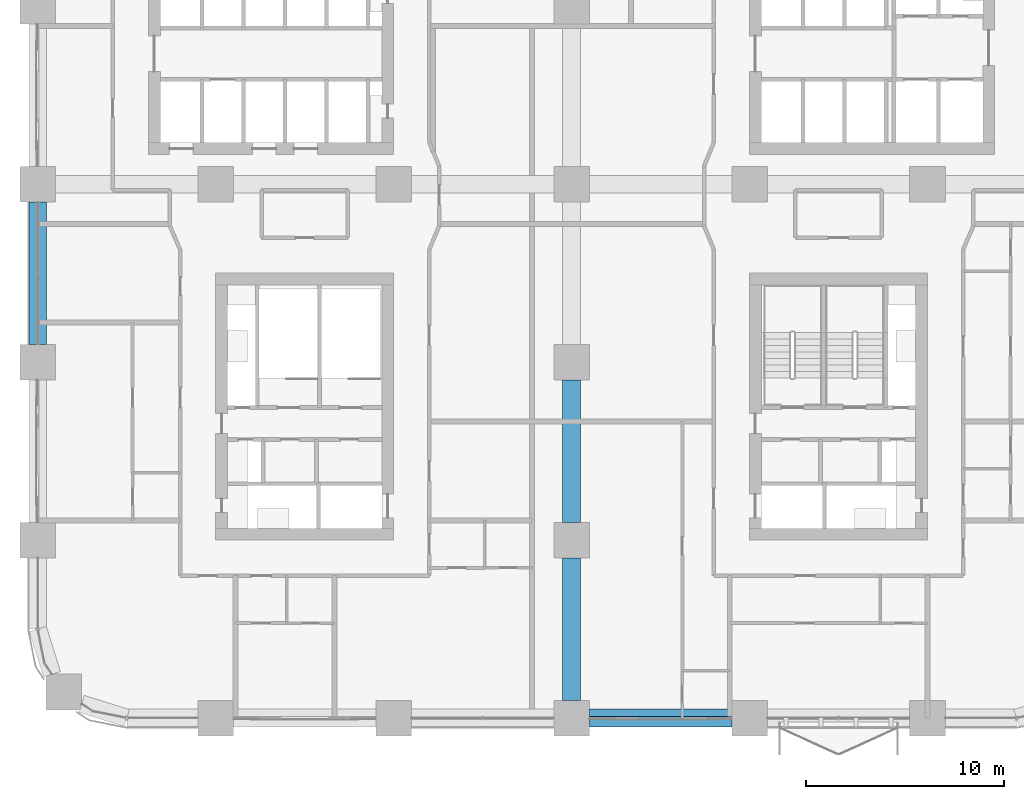
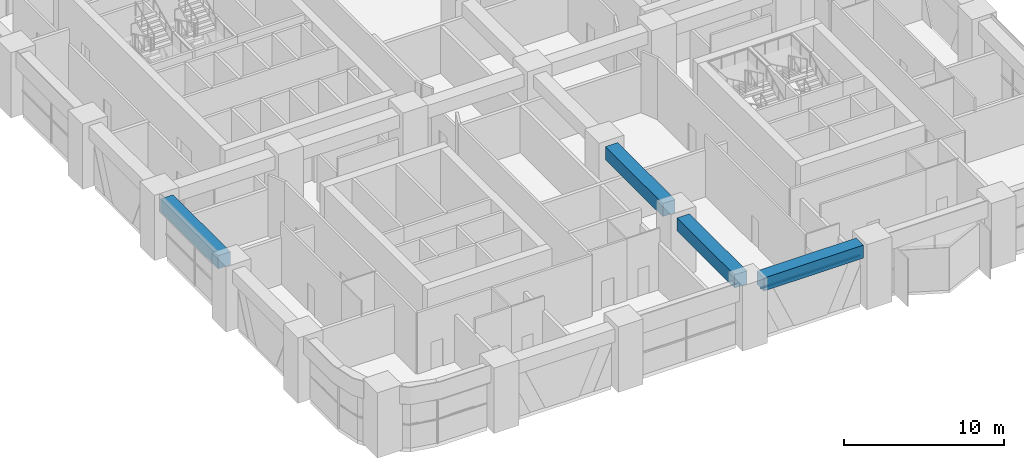
# One storey, part 3 of 26: 4 beams, 1 member, 1 element without a shape of its own.
"""IFC4 building model written with IfcOpenShell, lengths in metres."""

from ifc_helpers import new_model, si_unit, direction, frame, origin, origin_2d, place, context, subcontext, project, spatial, rectangle, extrude, material, material_profile, profile_set, type_object, element, aggregate, save


model = new_model("IFC4")

# Units and contexts
model_context = context("Model", 3, precision=1e-05, world=origin(), true_north=direction((0.0, 1.0)))
body_context = subcontext(model_context, "Body", "Model", "MODEL_VIEW")
ifc_project = project(units=[si_unit("LENGTHUNIT", "METRE"), si_unit("AREAUNIT", "SQUARE_METRE"), si_unit("VOLUMEUNIT", "CUBIC_METRE"), si_unit("PLANEANGLEUNIT", "RADIAN"), si_unit("MASSUNIT", "GRAM", prefix="KILO")], contexts=[model_context])

# Site, building, storey
site_placement = place(None, origin())
site = spatial("IfcSite", under=ifc_project, at=site_placement, CompositionType="ELEMENT")
building_placement = place(site_placement, origin())
building = spatial("IfcBuilding", under=site, at=building_placement, Name="Tessera Arch", CompositionType="ELEMENT")
storey_placement = place(building_placement, frame((0.0, 0.0, 72.800048828125)))
storey = spatial("IfcBuildingStorey", under=building, at=storey_placement, Name="L16", CompositionType="ELEMENT", Elevation=72.800048828125)

# Curtain wall, member
ifc_material_1 = material(Name="CW3 curtain wall")
curtain_wall_type = type_object("IfcCurtainWallType", Name="CW3 curtain wall", PredefinedType="NOTDEFINED", material=ifc_material_1)
curtain_wall_placement = place(storey_placement, origin())
curtain_wall = element("IfcCurtainWall", 1, at=curtain_wall_placement, inside=storey, type_object=curtain_wall_type, Name="CW3 curtain wall S0.0/2 L16", PredefinedType="NOTDEFINED")
ifc_material_2 = material(Name="Anodised aluminium pale metal", Category="aluminium")
ifc_material_profile_1 = material_profile(ifc_material_2, rectangle(XDim=0.139892578125, YDim=0.10009765625, at=origin_2d()), Name="AL 140x100")
ifc_profile_set_1 = profile_set([ifc_material_profile_1], Name="Anodised aluminium pale metal")
member_type = type_object("IfcMemberType", Name="CW3 transom", PredefinedType="USERDEFINED", material=ifc_profile_set_1)
member_placement = place(storey_placement, frame((27.89990234375, 0.0, 3.64990234375), z_axis=(1.0, 0.0, 0.0), x_axis=(0.0, 1.0, 0.0)))
member = element("IfcMember", 2, at=member_placement, type_object=member_type, Name="CW3 transom S0.0/2 1.1", ObjectType="TRANSOM", PredefinedType="USERDEFINED", context=body_context, shape_type="SweptSolid", body=[
    extrude(rectangle(XDim=0.139892578125, YDim=0.10009765625, at=origin_2d()), origin(), (0.0, 0.0, 1.0), 7.2001953125),
])
aggregate(curtain_wall, [member])

# Beams
ifc_material_3 = material(Name="Concrete C80/95", Category="concrete")
ifc_material_profile_2 = material_profile(ifc_material_3, rectangle(XDim=0.89990234375, YDim=1.0, at=origin_2d()), Name="RC spandrel beam 900 x 1000 Concrete C80/95")
ifc_profile_set_2 = profile_set([ifc_material_profile_2], Name="Concrete C80/95")
beam_type = type_object("IfcBeamType", Name="RC spandrel beam 900 x 1000 Concrete C80/95", PredefinedType="BEAM", material=ifc_profile_set_2)
for number, where, z_axis, x_axis, name in (
    (3, (27.89990234375, 0.0, 4.199951171875), (1.0, 0.0, 0.0), (0.0, 1.0, 0.0), "Spandrel beam L16 S0.0/2"),
    (4, (0.0, 26.10009765625, 4.08984375), (0.0, -1.0, 0.0), (1.0, 0.0, 0.0), "Spandrel beam L16 W0.0/3"),
    (5, (27.0, 0.89990234375, 4.08984375), (0.0, 1.0, 0.0), (-1.0, 0.0, 0.0), "Interface beam L16 I0C4A-C4B"),
    (6, (27.0, 9.89990234375, 4.08984375), (0.0, 1.0, 0.0), (-1.0, 0.0, 0.0), "Interface beam L16 I0C4B-C4C"),
):
    element("IfcBeam", number, at=place(storey_placement, frame(where, z_axis=z_axis, x_axis=x_axis)), inside=storey, type_object=beam_type, Name=name, PredefinedType="BEAM", context=body_context, shape_type="SweptSolid", body=[
        extrude(rectangle(XDim=0.89990234375, YDim=1.0, at=origin_2d()), origin(), (0.0, 0.0, 1.0), 7.2001953125),
    ])

save(model, "model.ifc")
